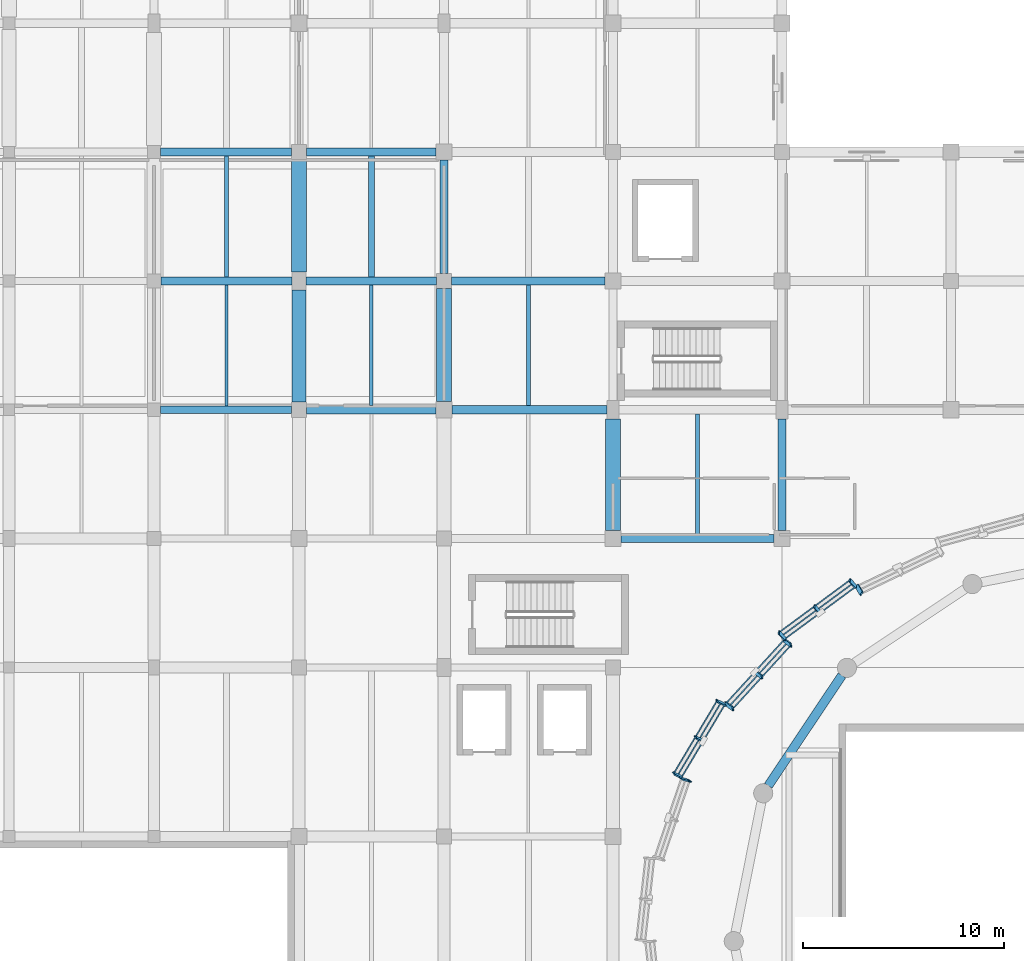
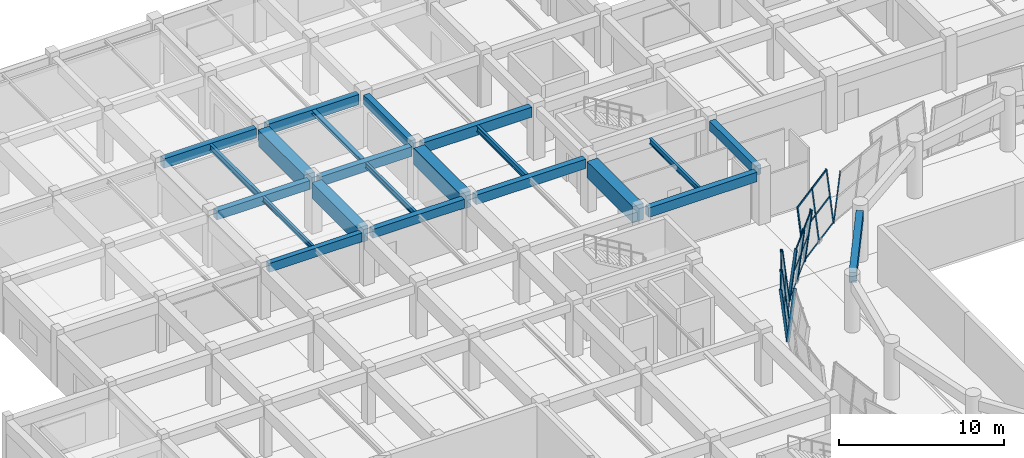
# One storey, part 33 of 71: 29 members, 22 beams, 5 elements without a shape of their own.
"""IFC4 building model written with IfcOpenShell, lengths in metres."""

from ifc_helpers import new_model, si_unit, direction, frame, origin, origin_2d, place, context, subcontext, project, spatial, rectangle, hollow_rectangle, i_section, extrude, material, material_profile, profile_set, type_object, element, aggregate, save


model = new_model("IFC4")

# Units and contexts
model_context = context("Model", 3, precision=1e-05, world=origin(), true_north=direction((0.0, 1.0)))
body_context = subcontext(model_context, "Body", "Model", "MODEL_VIEW")
ifc_project = project(units=[si_unit("LENGTHUNIT", "METRE"), si_unit("AREAUNIT", "SQUARE_METRE"), si_unit("VOLUMEUNIT", "CUBIC_METRE"), si_unit("PLANEANGLEUNIT", "RADIAN"), si_unit("MASSUNIT", "GRAM", prefix="KILO")], contexts=[model_context])

# Site, building, storey
site_placement = place(None, origin())
site = spatial("IfcSite", under=ifc_project, at=site_placement, CompositionType="ELEMENT")
building_placement = place(site_placement, origin())
building = spatial("IfcBuilding", under=site, at=building_placement, Name="Korsvaeld Concert Hall", CompositionType="ELEMENT")
storey_placement = place(building_placement, frame((0.0, 0.0, 4.800048828125)))
storey = spatial("IfcBuildingStorey", under=building, at=storey_placement, Name="L01", CompositionType="ELEMENT", Elevation=4.800048828125)

# Beams
ifc_material_1 = material(Name="Concrete C35/45", Category="concrete")
ifc_material_profile_1 = material_profile(ifc_material_1, rectangle(XDim=0.35009765625, YDim=0.64990234375, at=origin_2d()), Name="RC 350x650")
ifc_profile_set_1 = profile_set([ifc_material_profile_1], Name="Concrete C35/45")
beam_type_1 = type_object("IfcBeamType", Name="BM-RC-350x650", PredefinedType="T_BEAM", material=ifc_profile_set_1)
beam_1_placement = place(storey_placement, frame((36.324951171875, 89.60009765625, 3.514892578125), z_axis=(1.0, 0.0, 0.0), x_axis=(0.0, 1.0, 0.0)))
element("IfcBeam", 1, at=beam_1_placement, inside=storey, type_object=beam_type_1, Name="Primary girder 6-7/N L01", PredefinedType="T_BEAM", context=body_context, shape_type="SweptSolid", body=[
    extrude(rectangle(XDim=0.35009765625, YDim=0.64990234375, at=origin_2d()), origin(), (0.0, 0.0, 1.0), 6.5),
])
ifc_material_profile_2 = material_profile(ifc_material_1, rectangle(XDim=0.39990234375, YDim=0.64990234375, at=origin_2d()), Name="RC 400x650")
ifc_profile_set_2 = profile_set([ifc_material_profile_2], Name="Concrete C35/45")
beam_type_2 = type_object("IfcBeamType", Name="BM-RC-400x650", PredefinedType="T_BEAM", material=ifc_profile_set_2)
beam_2_placement = place(storey_placement, frame((43.574951171875, 89.60009765625, 3.514892578125), z_axis=(1.0, 0.0, 0.0), x_axis=(0.0, 1.0, 0.0)))
element("IfcBeam", 2, at=beam_2_placement, inside=storey, type_object=beam_type_2, Name="Primary girder 7-8/N L01", PredefinedType="T_BEAM", context=body_context, shape_type="SweptSolid", body=[
    extrude(rectangle(XDim=0.39990234375, YDim=0.64990234375, at=origin_2d()), origin(), (0.0, 0.0, 1.0), 6.425048828125),
])
beam_3_placement = place(storey_placement, frame((36.35009765625, 96.0, 3.514892578125), z_axis=(1.0, 0.0, 0.0), x_axis=(0.0, 1.0, 0.0)))
element("IfcBeam", 3, at=beam_3_placement, inside=storey, type_object=beam_type_2, Name="Primary girder 6-7/P L01", PredefinedType="T_BEAM", context=body_context, shape_type="SweptSolid", body=[
    extrude(rectangle(XDim=0.39990234375, YDim=0.64990234375, at=origin_2d()), origin(), (0.0, 0.0, 1.0), 6.5),
])
ifc_material_profile_3 = material_profile(ifc_material_1, rectangle(XDim=0.39990234375, YDim=0.699951171875, at=origin_2d()), Name="RC 400x700")
ifc_profile_set_3 = profile_set([ifc_material_profile_3], Name="Concrete C35/45")
beam_type_3 = type_object("IfcBeamType", Name="BM-RC-400x700", PredefinedType="T_BEAM", material=ifc_profile_set_3)
beam_4_placement = place(storey_placement, frame((59.199951171875, 83.199951171875, 3.489990234375), z_axis=(1.0, 0.0, 0.0), x_axis=(0.0, 1.0, 0.0)))
element("IfcBeam", 4, at=beam_4_placement, inside=storey, type_object=beam_type_3, Name="Primary girder 9-10/M L01", PredefinedType="T_BEAM", context=body_context, shape_type="SweptSolid", body=[
    extrude(rectangle(XDim=0.39990234375, YDim=0.699951171875, at=origin_2d()), origin(), (0.0, 0.0, 1.0), 7.60009765625),
])
beam_5_placement = place(storey_placement, frame((50.800048828125, 89.60009765625, 3.489990234375), z_axis=(1.0, 0.0, 0.0), x_axis=(0.0, 1.0, 0.0)))
element("IfcBeam", 5, at=beam_5_placement, inside=storey, type_object=beam_type_3, Name="Primary girder 8-9/N L01", PredefinedType="T_BEAM", context=body_context, shape_type="SweptSolid", body=[
    extrude(rectangle(XDim=0.39990234375, YDim=0.699951171875, at=origin_2d()), origin(), (0.0, 0.0, 1.0), 7.699951171875),
])
beam_6_placement = place(storey_placement, frame((43.550048828125, 96.0, 3.489990234375), z_axis=(1.0, 0.0, 0.0), x_axis=(0.0, 1.0, 0.0)))
element("IfcBeam", 6, at=beam_6_placement, inside=storey, type_object=beam_type_3, Name="Primary girder 7-8/P L01", PredefinedType="T_BEAM", context=body_context, shape_type="SweptSolid", body=[
    extrude(rectangle(XDim=0.39990234375, YDim=0.699951171875, at=origin_2d()), origin(), (0.0, 0.0, 1.0), 6.474853515625),
])
beam_7_placement = place(storey_placement, frame((36.324951171875, 102.39990234375, 3.489990234375), z_axis=(1.0, 0.0, 0.0), x_axis=(0.0, 1.0, 0.0)))
element("IfcBeam", 7, at=beam_7_placement, inside=storey, type_object=beam_type_3, Name="Primary girder 6-7/Q L01", PredefinedType="T_BEAM", context=body_context, shape_type="SweptSolid", body=[
    extrude(rectangle(XDim=0.39990234375, YDim=0.699951171875, at=origin_2d()), origin(), (0.0, 0.0, 1.0), 6.5),
])
beam_8_placement = place(storey_placement, frame((50.39990234375, 96.375, 3.489990234375), z_axis=(0.0, 1.0, 0.0), x_axis=(-1.0, 0.0, 0.0)))
element("IfcBeam", 8, at=beam_8_placement, inside=storey, type_object=beam_type_3, Name="Primary girder 8/P-Q L01", PredefinedType="T_BEAM", context=body_context, shape_type="SweptSolid", body=[
    extrude(rectangle(XDim=0.39990234375, YDim=0.699951171875, at=origin_2d()), origin(), (0.0, 0.0, 1.0), 5.625),
])
beam_9_placement = place(storey_placement, frame((67.199951171875, 83.60009765625, 3.489990234375), z_axis=(0.0, 1.0, 0.0), x_axis=(-1.0, 0.0, 0.0)))
element("IfcBeam", 9, at=beam_9_placement, inside=storey, type_object=beam_type_3, Name="Primary girder 10/M-N L01", PredefinedType="T_BEAM", context=body_context, shape_type="SweptSolid", body=[
    extrude(rectangle(XDim=0.39990234375, YDim=0.699951171875, at=origin_2d()), origin(), (0.0, 0.0, 1.0), 5.5498046875),
])
ifc_material_profile_4 = material_profile(ifc_material_1, rectangle(XDim=0.39990234375, YDim=0.75, at=origin_2d()), Name="RC 400x750")
ifc_profile_set_4 = profile_set([ifc_material_profile_4], Name="Concrete C35/45")
beam_type_4 = type_object("IfcBeamType", Name="BM-RC-400x750", PredefinedType="T_BEAM", material=ifc_profile_set_4)
beam_10_placement = place(storey_placement, frame((50.77490234375, 96.0, 3.46484375), z_axis=(1.0, 0.0, 0.0), x_axis=(0.0, 1.0, 0.0)))
element("IfcBeam", 10, at=beam_10_placement, inside=storey, type_object=beam_type_4, Name="Primary girder 8-9/P L01", PredefinedType="T_BEAM", context=body_context, shape_type="SweptSolid", body=[
    extrude(rectangle(XDim=0.39990234375, YDim=0.75, at=origin_2d()), origin(), (0.0, 0.0, 1.0), 7.625),
])
beam_11_placement = place(storey_placement, frame((43.574951171875, 102.39990234375, 3.46484375), z_axis=(1.0, 0.0, 0.0), x_axis=(0.0, 1.0, 0.0)))
element("IfcBeam", 11, at=beam_11_placement, inside=storey, type_object=beam_type_4, Name="Primary girder 7-8/Q L01", PredefinedType="T_BEAM", context=body_context, shape_type="SweptSolid", body=[
    extrude(rectangle(XDim=0.39990234375, YDim=0.75, at=origin_2d()), origin(), (0.0, 0.0, 1.0), 6.425048828125),
])
ifc_material_profile_5 = material_profile(ifc_material_1, rectangle(XDim=0.449951171875, YDim=0.75, at=origin_2d()), Name="RC 450x750")
ifc_profile_set_5 = profile_set([ifc_material_profile_5], Name="Concrete C35/45")
beam_type_5 = type_object("IfcBeamType", Name="BM-RC-450x750", PredefinedType="T_BEAM", material=ifc_profile_set_5)
beam_12_placement = place(storey_placement, frame((70.173583984375, 76.40234375, 3.46484375), z_axis=(-0.555571711953, -0.831468624109, 0.0), x_axis=(0.831468624109, -0.555571711953, 0.0)))
element("IfcBeam", 12, at=beam_12_placement, inside=storey, type_object=beam_type_5, Name="Drum ring floor girder L01 07", PredefinedType="T_BEAM", context=body_context, shape_type="SweptSolid", body=[
    extrude(rectangle(XDim=0.449951171875, YDim=0.75, at=origin_2d()), origin(), (0.0, 0.0, 1.0), 6.591552734375),
])
ifc_material_2 = material(Name="Concrete C40/50", Category="concrete")
ifc_material_profile_6 = material_profile(ifc_material_2, rectangle(XDim=0.699951171875, YDim=1.14990234375, at=origin_2d()), Name="RC 700x1150")
ifc_profile_set_6 = profile_set([ifc_material_profile_6], Name="Concrete C40/50")
beam_type_6 = type_object("IfcBeamType", Name="BM-RC-700x1150", PredefinedType="T_BEAM", material=ifc_profile_set_6)
beam_13_placement = place(storey_placement, frame((43.199951171875, 89.97509765625, 3.264892578125), z_axis=(0.0, 1.0, 0.0), x_axis=(-1.0, 0.0, 0.0)))
element("IfcBeam", 13, at=beam_13_placement, inside=storey, type_object=beam_type_6, Name="Primary girder 7/N-P L01", PredefinedType="T_BEAM", context=body_context, shape_type="SweptSolid", body=[
    extrude(rectangle(XDim=0.699951171875, YDim=1.14990234375, at=origin_2d()), origin(), (0.0, 0.0, 1.0), 5.574951171875),
])
ifc_material_profile_7 = material_profile(ifc_material_2, rectangle(XDim=0.75, YDim=1.199951171875, at=origin_2d()), Name="RC 750x1200")
ifc_profile_set_7 = profile_set([ifc_material_profile_7], Name="Concrete C40/50")
beam_type_7 = type_object("IfcBeamType", Name="BM-RC-750x1200", PredefinedType="T_BEAM", material=ifc_profile_set_7)
beam_14_placement = place(storey_placement, frame((43.199951171875, 96.449951171875, 3.239990234375), z_axis=(0.0, 1.0, 0.0), x_axis=(-1.0, 0.0, 0.0)))
element("IfcBeam", 14, at=beam_14_placement, inside=storey, type_object=beam_type_7, Name="Primary girder 7/P-Q L01", PredefinedType="T_BEAM", context=body_context, shape_type="SweptSolid", body=[
    extrude(rectangle(XDim=0.75, YDim=1.199951171875, at=origin_2d()), origin(), (0.0, 0.0, 1.0), 5.574951171875),
])
beam_15_placement = place(storey_placement, frame((50.39990234375, 90.0, 3.239990234375), z_axis=(0.0, 1.0, 0.0), x_axis=(-1.0, 0.0, 0.0)))
element("IfcBeam", 15, at=beam_15_placement, inside=storey, type_object=beam_type_7, Name="Primary girder 8/N-P L01", PredefinedType="T_BEAM", context=body_context, shape_type="SweptSolid", body=[
    extrude(rectangle(XDim=0.75, YDim=1.199951171875, at=origin_2d()), origin(), (0.0, 0.0, 1.0), 5.625),
])
beam_16_placement = place(storey_placement, frame((58.800048828125, 83.60009765625, 3.239990234375), z_axis=(0.0, 1.0, 0.0), x_axis=(-1.0, 0.0, 0.0)))
element("IfcBeam", 16, at=beam_16_placement, inside=storey, type_object=beam_type_7, Name="Primary girder 9/M-N L01", PredefinedType="T_BEAM", context=body_context, shape_type="SweptSolid", body=[
    extrude(rectangle(XDim=0.75, YDim=1.199951171875, at=origin_2d()), origin(), (0.0, 0.0, 1.0), 5.5498046875),
])
ifc_material_3 = material(Name="Steel S355J2", Category="steel")
ifc_material_profile_8 = material_profile(ifc_material_3, i_section(OverallWidth=0.280029296875, OverallDepth=0.27001953125, WebThickness=0.008056640625, FlangeThickness=0.012939453125, FilletRadius=0.02392578125, at=origin_2d()), Name="HEA 280")
ifc_profile_set_8 = profile_set([ifc_material_profile_8], Name="Steel S355J2")
beam_type_8 = type_object("IfcBeamType", Name="BM-STL-HEA280", PredefinedType="BEAM", material=ifc_profile_set_8)
beam_17_placement = place(storey_placement, frame((46.800048828125, 96.199951171875, 3.704833984375), z_axis=(0.0, 1.0, 0.0), x_axis=(-1.0, 0.0, 0.0)))
element("IfcBeam", 17, at=beam_17_placement, inside=storey, type_object=beam_type_8, Name="Secondary steel floor beam 7-8/P L01", PredefinedType="BEAM", context=body_context, shape_type="SweptSolid", body=[
    extrude(i_section(OverallWidth=0.280029296875, OverallDepth=0.27001953125, WebThickness=0.008056640625, FlangeThickness=0.012939453125, FilletRadius=0.02392578125, at=origin_2d()), origin(), (0.0, 0.0, 1.0), 6.0),
])
ifc_material_profile_9 = material_profile(ifc_material_3, i_section(OverallWidth=0.169921875, OverallDepth=0.360107421875, WebThickness=0.008056640625, FlangeThickness=0.0126953125, FilletRadius=0.01806640625, at=origin_2d()), Name="IPE 360")
ifc_profile_set_9 = profile_set([ifc_material_profile_9], Name="Steel S355J2")
beam_type_9 = type_object("IfcBeamType", Name="BM-STL-IPE360", PredefinedType="BEAM", material=ifc_profile_set_9)
beam_18_placement = place(storey_placement, frame((39.60009765625, 89.77490234375, 3.659912109375), z_axis=(0.0, 1.0, 0.0), x_axis=(-1.0, 0.0, 0.0)))
element("IfcBeam", 18, at=beam_18_placement, inside=storey, type_object=beam_type_9, Name="Secondary steel floor beam 6-7/N L01", PredefinedType="BEAM", context=body_context, shape_type="SweptSolid", body=[
    extrude(i_section(OverallWidth=0.169921875, OverallDepth=0.360107421875, WebThickness=0.008056640625, FlangeThickness=0.0126953125, FilletRadius=0.01806640625, at=origin_2d()), origin(), (0.0, 0.0, 1.0), 6.025146484375),
])
ifc_material_profile_10 = material_profile(ifc_material_3, i_section(OverallWidth=0.179931640625, OverallDepth=0.39990234375, WebThickness=0.008544921875, FlangeThickness=0.013427734375, FilletRadius=0.02099609375, at=origin_2d()), Name="IPE 400")
ifc_profile_set_10 = profile_set([ifc_material_profile_10], Name="Steel S355J2")
beam_type_10 = type_object("IfcBeamType", Name="BM-STL-IPE400", PredefinedType="BEAM", material=ifc_profile_set_10)
for number, where, z_axis, x_axis, name in (
    (19, (46.800048828125, 89.800048828125, 3.639892578125), (0.0, 1.0, 0.0), (-1.0, 0.0, 0.0), "Secondary steel floor beam 7-8/N L01"),
    (20, (63.0, 83.39990234375, 3.639892578125), (0.0, 1.0, 0.0), (-1.0, 0.0, 0.0), "Secondary steel floor beam 9-10/M L01"),
):
    element("IfcBeam", number, at=place(storey_placement, frame(where, z_axis=z_axis, x_axis=x_axis)), inside=storey, type_object=beam_type_10, Name=name, PredefinedType="BEAM", context=body_context, shape_type="SweptSolid", body=[
        extrude(i_section(OverallWidth=0.179931640625, OverallDepth=0.39990234375, WebThickness=0.008544921875, FlangeThickness=0.013427734375, FilletRadius=0.02099609375, at=origin_2d()), origin(), (0.0, 0.0, 1.0), 6.0),
    ])
ifc_material_profile_11 = material_profile(ifc_material_3, i_section(OverallWidth=0.18994140625, OverallDepth=0.449951171875, WebThickness=0.009521484375, FlangeThickness=0.0146484375, FilletRadius=0.02099609375, at=origin_2d()), Name="IPE 450")
ifc_profile_set_11 = profile_set([ifc_material_profile_11], Name="Steel S355J2")
beam_type_11 = type_object("IfcBeamType", Name="BM-STL-IPE450", PredefinedType="BEAM", material=ifc_profile_set_11)
for number, where, z_axis, x_axis, name in (
    (21, (39.60009765625, 96.199951171875, 3.614990234375), (0.0, 1.0, 0.0), (-1.0, 0.0, 0.0), "Secondary steel floor beam 6-7/P L01"),
    (22, (54.60009765625, 89.800048828125, 3.614990234375), (0.0, 1.0, 0.0), (-1.0, 0.0, 0.0), "Secondary steel floor beam 8-9/N L01"),
):
    element("IfcBeam", number, at=place(storey_placement, frame(where, z_axis=z_axis, x_axis=x_axis)), inside=storey, type_object=beam_type_11, Name=name, PredefinedType="BEAM", context=body_context, shape_type="SweptSolid", body=[
        extrude(i_section(OverallWidth=0.18994140625, OverallDepth=0.449951171875, WebThickness=0.009521484375, FlangeThickness=0.0146484375, FilletRadius=0.02099609375, at=origin_2d()), origin(), (0.0, 0.0, 1.0), 6.0),
    ])

# Curtain wall, members
ifc_material_4 = material(Name="Anodised bronze and ceramic-fritted safety glass", Category="glass")
curtain_wall_type_1 = type_object("IfcCurtainWallType", Name="CW-TYPE-04", PredefinedType="USERDEFINED", material=ifc_material_4)
curtain_wall_1_placement = place(storey_placement, origin())
curtain_wall_1 = element("IfcCurtainWall", 23, at=curtain_wall_1_placement, inside=storey, type_object=curtain_wall_type_1, Name="Crystal curtain-wall facet L01 F12", ObjectType="CURTAIN WALL", PredefinedType="USERDEFINED")
ifc_material_5 = material(Name="Anodised architectural bronze aluminium", Category="aluminium")
ifc_material_profile_12 = material_profile(ifc_material_5, hollow_rectangle(XDim=0.074951171875, YDim=0.179931640625, WallThickness=0.0048828125, at=origin_2d()), Name="CWM 180x75x5")
ifc_profile_set_12 = profile_set([ifc_material_profile_12], Name="Anodised architectural bronze aluminium")
member_type_1 = type_object("IfcMemberType", Name="CWM-BRONZE-180x75", PredefinedType="MULLION", material=ifc_profile_set_12)
member_1_placement = place(storey_placement, frame((70.8583984375, 80.804931640625, 0.0), z_axis=(-0.076399398433, 0.083589194521, 0.993567299421), x_axis=(-0.977549491387, 0.189970185789, -0.091149988477)))
member_1 = element("IfcMember", 24, at=member_1_placement, type_object=member_type_1, Name="CW-CRYS-L01-F12 crystal mullion 1", PredefinedType="MULLION", context=body_context, shape_type="SweptSolid", body=[
    extrude(hollow_rectangle(XDim=0.074951171875, YDim=0.179931640625, WallThickness=0.0048828125, at=origin_2d()), origin(), (0.0, 0.0, 1.0), 3.905029296875),
])
member_2_placement = place(storey_placement, frame((69.100341796875, 79.509033203125, 0.0), z_axis=(-0.076337641738, 0.083527509715, 0.993577233825), x_axis=(-0.977548221233, 0.190010379878, -0.09107980403)))
member_2 = element("IfcMember", 25, at=member_2_placement, type_object=member_type_1, Name="CW-CRYS-L01-F12 crystal mullion 2", PredefinedType="MULLION", context=body_context, shape_type="SweptSolid", body=[
    extrude(hollow_rectangle(XDim=0.074951171875, YDim=0.179931640625, WallThickness=0.0048828125, at=origin_2d()), origin(), (0.0, 0.0, 1.0), 3.905029296875),
])
member_3_placement = place(storey_placement, frame((67.342529296875, 78.212890625, 0.0), z_axis=(-0.076399398433, 0.083589194521, 0.993567299421), x_axis=(-0.977549491387, 0.189970185789, -0.091149988477)))
member_3 = element("IfcMember", 26, at=member_3_placement, type_object=member_type_1, Name="CW-CRYS-L01-F12 crystal mullion 3", PredefinedType="MULLION", context=body_context, shape_type="SweptSolid", body=[
    extrude(hollow_rectangle(XDim=0.074951171875, YDim=0.179931640625, WallThickness=0.0048828125, at=origin_2d()), origin(), (0.0, 0.0, 1.0), 3.905029296875),
])

curtain_wall_type_2 = type_object("IfcCurtainWallType", Name="CW-TYPE-06", PredefinedType="USERDEFINED", material=ifc_material_4)
curtain_wall_2_placement = place(storey_placement, origin())
curtain_wall_2 = element("IfcCurtainWall", 27, at=curtain_wall_2_placement, inside=storey, type_object=curtain_wall_type_2, Name="Crystal curtain-wall facet L01 F14", ObjectType="CURTAIN WALL", PredefinedType="USERDEFINED")
member_4_placement = place(storey_placement, frame((64.358154296875, 74.94580078125, 0.0), z_axis=(-0.102033137454, 0.049015918973, 0.993572684079), x_axis=(-0.830085566012, -0.554623769939, -0.057882872395)))
member_4 = element("IfcMember", 28, at=member_4_placement, type_object=member_type_1, Name="CW-CRYS-L01-F14 crystal mullion 1", PredefinedType="MULLION", context=body_context, shape_type="SweptSolid", body=[
    extrude(hollow_rectangle(XDim=0.074951171875, YDim=0.179931640625, WallThickness=0.0048828125, at=origin_2d()), origin(), (0.0, 0.0, 1.0), 3.905029296875),
])
member_5_placement = place(storey_placement, frame((63.286865234375, 73.1455078125, 0.0), z_axis=(-0.102033137454, 0.049015918973, 0.993572684079), x_axis=(-0.830085566012, -0.554623769939, -0.057882872395)))
member_5 = element("IfcMember", 29, at=member_5_placement, type_object=member_type_1, Name="CW-CRYS-L01-F14 crystal mullion 2", PredefinedType="MULLION", context=body_context, shape_type="SweptSolid", body=[
    extrude(hollow_rectangle(XDim=0.074951171875, YDim=0.179931640625, WallThickness=0.0048828125, at=origin_2d()), origin(), (0.0, 0.0, 1.0), 3.905029296875),
])
member_6_placement = place(storey_placement, frame((62.215576171875, 71.34521484375, 0.0), z_axis=(-0.102033449935, 0.04895354859, 0.993575726945), x_axis=(-0.829810679162, -0.555036387008, -0.057869213275)))
member_6 = element("IfcMember", 30, at=member_6_placement, type_object=member_type_1, Name="CW-CRYS-L01-F14 crystal mullion 3", PredefinedType="MULLION", context=body_context, shape_type="SweptSolid", body=[
    extrude(hollow_rectangle(XDim=0.074951171875, YDim=0.179931640625, WallThickness=0.0048828125, at=origin_2d()), origin(), (0.0, 0.0, 1.0), 3.905029296875),
])

# Curtain wall, member
curtain_wall_type_3 = type_object("IfcCurtainWallType", Name="CW-TYPE-03", PredefinedType="USERDEFINED", material=ifc_material_4)
curtain_wall_3_placement = place(storey_placement, origin())
curtain_wall_3 = element("IfcCurtainWall", 31, at=curtain_wall_3_placement, inside=storey, type_object=curtain_wall_type_3, Name="Crystal curtain-wall facet L01 F11", ObjectType="CURTAIN WALL", PredefinedType="USERDEFINED")
ifc_material_profile_13 = material_profile(ifc_material_5, hollow_rectangle(XDim=0.074951171875, YDim=0.219970703125, WallThickness=0.006103515625, at=origin_2d()), Name="CWM 220x75x6")
ifc_profile_set_13 = profile_set([ifc_material_profile_13], Name="Anodised architectural bronze aluminium")
member_type_2 = type_object("IfcMemberType", Name="CWM-BRONZE-220x75", PredefinedType="MULLION", material=ifc_profile_set_13)
member_7_placement = place(storey_placement, frame((70.92236328125, 80.843505859375, 0.0), z_axis=(0.057893742062, -0.097281493141, 0.993571651026), x_axis=(0.829999138773, -0.548349174532, -0.102052008437)))
member_7 = element("IfcMember", 32, at=member_7_placement, type_object=member_type_2, Name="CW-CRYS-L01-F11 crystal mullion 3", PredefinedType="MULLION", context=body_context, shape_type="SweptSolid", body=[
    extrude(hollow_rectangle(XDim=0.074951171875, YDim=0.219970703125, WallThickness=0.006103515625, at=origin_2d()), origin(), (0.0, 0.0, 1.0), 3.905029296875),
])
aggregate(curtain_wall_3, [member_7])

# Curtain wall, members
curtain_wall_type_4 = type_object("IfcCurtainWallType", Name="CW-TYPE-05", PredefinedType="USERDEFINED", material=ifc_material_4)
curtain_wall_4_placement = place(storey_placement, origin())
curtain_wall_4 = element("IfcCurtainWall", 33, at=curtain_wall_4_placement, inside=storey, type_object=curtain_wall_type_4, Name="Crystal curtain-wall facet L01 F13", ObjectType="CURTAIN WALL", PredefinedType="USERDEFINED")
member_8_placement = place(storey_placement, frame((67.287109375, 78.1630859375, 0.0), z_axis=(0.091092013968, -0.06720927592, 0.993571918998), x_axis=(0.977585029152, 0.196207994795, -0.076354001577)))
member_8 = element("IfcMember", 34, at=member_8_placement, type_object=member_type_2, Name="CW-CRYS-L01-F13 crystal mullion 1", PredefinedType="MULLION", context=body_context, shape_type="SweptSolid", body=[
    extrude(hollow_rectangle(XDim=0.074951171875, YDim=0.219970703125, WallThickness=0.006103515625, at=origin_2d()), origin(), (0.0, 0.0, 1.0), 3.905029296875),
])
member_9_placement = place(storey_placement, frame((65.8447265625, 76.58447265625, 0.0), z_axis=(0.091154014917, -0.067208893029, 0.993566258617), x_axis=(0.977517596414, 0.196530654202, -0.076387503291)))
member_9 = element("IfcMember", 35, at=member_9_placement, type_object=member_type_2, Name="CW-CRYS-L01-F13 crystal mullion 2", PredefinedType="MULLION", context=body_context, shape_type="SweptSolid", body=[
    extrude(hollow_rectangle(XDim=0.074951171875, YDim=0.219970703125, WallThickness=0.006103515625, at=origin_2d()), origin(), (0.0, 0.0, 1.0), 3.905029296875),
])
member_10_placement = place(storey_placement, frame((64.402587890625, 75.005859375, 0.0), z_axis=(0.091092013968, -0.06720927592, 0.993571918998), x_axis=(0.977585029152, 0.196207994795, -0.076354001577)))
member_10 = element("IfcMember", 36, at=member_10_placement, type_object=member_type_2, Name="CW-CRYS-L01-F13 crystal mullion 3", PredefinedType="MULLION", context=body_context, shape_type="SweptSolid", body=[
    extrude(hollow_rectangle(XDim=0.074951171875, YDim=0.219970703125, WallThickness=0.006103515625, at=origin_2d()), origin(), (0.0, 0.0, 1.0), 3.905029296875),
])

# Curtain wall, member
curtain_wall_type_5 = type_object("IfcCurtainWallType", Name="CW-TYPE-07", PredefinedType="USERDEFINED", material=ifc_material_4)
curtain_wall_5_placement = place(storey_placement, origin())
curtain_wall_5 = element("IfcCurtainWall", 37, at=curtain_wall_5_placement, inside=storey, type_object=curtain_wall_type_5, Name="Crystal curtain-wall facet L01 F15", ObjectType="CURTAIN WALL", PredefinedType="USERDEFINED")
member_11_placement = place(storey_placement, frame((62.184326171875, 71.27734375, 0.0), z_axis=(0.109222864708, -0.029759635719, 0.993571703455), x_axis=(0.555751470455, 0.830559253027, -0.036216436851)))
member_11 = element("IfcMember", 38, at=member_11_placement, type_object=member_type_2, Name="CW-CRYS-L01-F15 crystal mullion 1", PredefinedType="MULLION", context=body_context, shape_type="SweptSolid", body=[
    extrude(hollow_rectangle(XDim=0.074951171875, YDim=0.219970703125, WallThickness=0.006103515625, at=origin_2d()), origin(), (0.0, 0.0, 1.0), 3.905029296875),
])
aggregate(curtain_wall_5, [member_11])

# Member
ifc_material_profile_14 = material_profile(ifc_material_5, hollow_rectangle(XDim=0.06005859375, YDim=0.139892578125, WallThickness=0.00390625, at=origin_2d()), Name="CWT 140x60x4")
ifc_profile_set_14 = profile_set([ifc_material_profile_14], Name="Anodised architectural bronze aluminium")
member_type_3 = type_object("IfcMemberType", Name="CWT-BRONZE-140x60", PredefinedType="USERDEFINED", material=ifc_profile_set_14)
member_12_placement = place(storey_placement, frame((70.825927734375, 80.78515625, 0.030029296875), z_axis=(-0.804945265899, -0.593349070031, 0.0), x_axis=(0.593349070031, -0.804945265899, 0.0)))
member_12 = element("IfcMember", 39, at=member_12_placement, type_object=member_type_3, Name="CW-CRYS-L01-F12 crystal transom 1.1", ObjectType="TRANSOM", PredefinedType="USERDEFINED", context=body_context, shape_type="SweptSolid", body=[
    extrude(hollow_rectangle(XDim=0.06005859375, YDim=0.139892578125, WallThickness=0.00390625, at=origin_2d()), origin(), (0.0, 0.0, 1.0), 2.109130859375),
])

member_13_placement = place(storey_placement, frame((70.678955078125, 80.94580078125, 1.93994140625), z_axis=(-0.804904507896, -0.593404358906, 0.0), x_axis=(0.593404358906, -0.804904507896, 0.0)))
member_13 = element("IfcMember", 40, at=member_13_placement, type_object=member_type_3, Name="CW-CRYS-L01-F12 crystal transom 1.2", ObjectType="TRANSOM", PredefinedType="USERDEFINED", context=body_context, shape_type="SweptSolid", body=[
    extrude(hollow_rectangle(XDim=0.06005859375, YDim=0.139892578125, WallThickness=0.00390625, at=origin_2d()), origin(), (0.0, 0.0, 1.0), 2.10888671875),
])

member_14_placement = place(storey_placement, frame((70.5322265625, 81.1064453125, 3.849853515625), z_axis=(-0.804904507896, -0.593404358906, 0.0), x_axis=(0.593404358906, -0.804904507896, 0.0)))
member_14 = element("IfcMember", 41, at=member_14_placement, type_object=member_type_3, Name="CW-CRYS-L01-F12 crystal transom 1.3", ObjectType="TRANSOM", PredefinedType="USERDEFINED", context=body_context, shape_type="SweptSolid", body=[
    extrude(hollow_rectangle(XDim=0.06005859375, YDim=0.139892578125, WallThickness=0.00390625, at=origin_2d()), origin(), (0.0, 0.0, 1.0), 2.10888671875),
])

member_15_placement = place(storey_placement, frame((69.06787109375, 79.4892578125, 0.030029296875), z_axis=(-0.804904507896, -0.593404358906, 0.0), x_axis=(0.593404358906, -0.804904507896, 0.0)))
member_15 = element("IfcMember", 42, at=member_15_placement, type_object=member_type_3, Name="CW-CRYS-L01-F12 crystal transom 2.1", ObjectType="TRANSOM", PredefinedType="USERDEFINED", context=body_context, shape_type="SweptSolid", body=[
    extrude(hollow_rectangle(XDim=0.06005859375, YDim=0.139892578125, WallThickness=0.00390625, at=origin_2d()), origin(), (0.0, 0.0, 1.0), 2.10888671875),
])

member_16_placement = place(storey_placement, frame((68.921142578125, 79.64990234375, 1.93994140625), z_axis=(-0.804904507896, -0.593404358906, 0.0), x_axis=(0.593404358906, -0.804904507896, 0.0)))
member_16 = element("IfcMember", 43, at=member_16_placement, type_object=member_type_3, Name="CW-CRYS-L01-F12 crystal transom 2.2", ObjectType="TRANSOM", PredefinedType="USERDEFINED", context=body_context, shape_type="SweptSolid", body=[
    extrude(hollow_rectangle(XDim=0.06005859375, YDim=0.139892578125, WallThickness=0.00390625, at=origin_2d()), origin(), (0.0, 0.0, 1.0), 2.10888671875),
])

member_17_placement = place(storey_placement, frame((68.7744140625, 79.810546875, 3.849853515625), z_axis=(-0.804904507896, -0.593404358906, 0.0), x_axis=(0.593404358906, -0.804904507896, 0.0)))
member_17 = element("IfcMember", 44, at=member_17_placement, type_object=member_type_3, Name="CW-CRYS-L01-F12 crystal transom 2.3", ObjectType="TRANSOM", PredefinedType="USERDEFINED", context=body_context, shape_type="SweptSolid", body=[
    extrude(hollow_rectangle(XDim=0.06005859375, YDim=0.139892578125, WallThickness=0.00390625, at=origin_2d()), origin(), (0.0, 0.0, 1.0), 2.10888671875),
])

aggregate(curtain_wall_1, [member_1, member_2, member_3, member_12, member_13, member_14, member_15, member_16, member_17])

member_18_placement = place(storey_placement, frame((67.264404296875, 78.13330078125, 0.030029296875), z_axis=(-0.674496604142, -0.738277949692, 0.0), x_axis=(0.738277949692, -0.674496604142, 0.0)))
member_18 = element("IfcMember", 45, at=member_18_placement, type_object=member_type_3, Name="CW-CRYS-L01-F13 crystal transom 1.1", ObjectType="TRANSOM", PredefinedType="USERDEFINED", context=body_context, shape_type="SweptSolid", body=[
    extrude(hollow_rectangle(XDim=0.06005859375, YDim=0.139892578125, WallThickness=0.00390625, at=origin_2d()), origin(), (0.0, 0.0, 1.0), 2.063232421875),
])

member_19_placement = place(storey_placement, frame((67.439697265625, 78.004150390625, 1.93994140625), z_axis=(-0.674496604142, -0.738277949692, 0.0), x_axis=(0.738277949692, -0.674496604142, 0.0)))
member_19 = element("IfcMember", 46, at=member_19_placement, type_object=member_type_3, Name="CW-CRYS-L01-F13 crystal transom 1.2", ObjectType="TRANSOM", PredefinedType="USERDEFINED", context=body_context, shape_type="SweptSolid", body=[
    extrude(hollow_rectangle(XDim=0.06005859375, YDim=0.139892578125, WallThickness=0.00390625, at=origin_2d()), origin(), (0.0, 0.0, 1.0), 2.063232421875),
])

member_20_placement = place(storey_placement, frame((67.61474609375, 77.875, 3.849853515625), z_axis=(-0.674496604142, -0.738277949692, 0.0), x_axis=(0.738277949692, -0.674496604142, 0.0)))
member_20 = element("IfcMember", 47, at=member_20_placement, type_object=member_type_3, Name="CW-CRYS-L01-F13 crystal transom 1.3", ObjectType="TRANSOM", PredefinedType="USERDEFINED", context=body_context, shape_type="SweptSolid", body=[
    extrude(hollow_rectangle(XDim=0.06005859375, YDim=0.139892578125, WallThickness=0.00390625, at=origin_2d()), origin(), (0.0, 0.0, 1.0), 2.063232421875),
])

member_21_placement = place(storey_placement, frame((65.822265625, 76.5546875, 0.030029296875), z_axis=(-0.674496604142, -0.738277949692, 0.0), x_axis=(0.738277949692, -0.674496604142, 0.0)))
member_21 = element("IfcMember", 48, at=member_21_placement, type_object=member_type_3, Name="CW-CRYS-L01-F13 crystal transom 2.1", ObjectType="TRANSOM", PredefinedType="USERDEFINED", context=body_context, shape_type="SweptSolid", body=[
    extrude(hollow_rectangle(XDim=0.06005859375, YDim=0.139892578125, WallThickness=0.00390625, at=origin_2d()), origin(), (0.0, 0.0, 1.0), 2.063232421875),
])

member_22_placement = place(storey_placement, frame((65.997314453125, 76.425537109375, 1.93994140625), z_axis=(-0.674496604142, -0.738277949692, 0.0), x_axis=(0.738277949692, -0.674496604142, 0.0)))
member_22 = element("IfcMember", 49, at=member_22_placement, type_object=member_type_3, Name="CW-CRYS-L01-F13 crystal transom 2.2", ObjectType="TRANSOM", PredefinedType="USERDEFINED", context=body_context, shape_type="SweptSolid", body=[
    extrude(hollow_rectangle(XDim=0.06005859375, YDim=0.139892578125, WallThickness=0.00390625, at=origin_2d()), origin(), (0.0, 0.0, 1.0), 2.063232421875),
])

member_23_placement = place(storey_placement, frame((66.172607421875, 76.29638671875, 3.849853515625), z_axis=(-0.674496604142, -0.738277949692, 0.0), x_axis=(0.738277949692, -0.674496604142, 0.0)))
member_23 = element("IfcMember", 50, at=member_23_placement, type_object=member_type_3, Name="CW-CRYS-L01-F13 crystal transom 2.3", ObjectType="TRANSOM", PredefinedType="USERDEFINED", context=body_context, shape_type="SweptSolid", body=[
    extrude(hollow_rectangle(XDim=0.06005859375, YDim=0.139892578125, WallThickness=0.00390625, at=origin_2d()), origin(), (0.0, 0.0, 1.0), 2.063232421875),
])

aggregate(curtain_wall_4, [member_8, member_9, member_10, member_18, member_19, member_20, member_21, member_22, member_23])

member_24_placement = place(storey_placement, frame((64.3359375, 74.9150390625, 0.030029296875), z_axis=(-0.511381861684, -0.859353589357, 0.0), x_axis=(0.859353589357, -0.511381861684, 0.0)))
member_24 = element("IfcMember", 51, at=member_24_placement, type_object=member_type_3, Name="CW-CRYS-L01-F14 crystal transom 1.1", ObjectType="TRANSOM", PredefinedType="USERDEFINED", context=body_context, shape_type="SweptSolid", body=[
    extrude(hollow_rectangle(XDim=0.06005859375, YDim=0.139892578125, WallThickness=0.00390625, at=origin_2d()), origin(), (0.0, 0.0, 1.0), 2.02001953125),
])

member_25_placement = place(storey_placement, frame((64.1396484375, 75.00927734375, 1.93994140625), z_axis=(-0.511381861684, -0.859353589357, 0.0), x_axis=(0.859353589357, -0.511381861684, 0.0)))
member_25 = element("IfcMember", 52, at=member_25_placement, type_object=member_type_3, Name="CW-CRYS-L01-F14 crystal transom 1.2", ObjectType="TRANSOM", PredefinedType="USERDEFINED", context=body_context, shape_type="SweptSolid", body=[
    extrude(hollow_rectangle(XDim=0.06005859375, YDim=0.139892578125, WallThickness=0.00390625, at=origin_2d()), origin(), (0.0, 0.0, 1.0), 2.02001953125),
])

member_26_placement = place(storey_placement, frame((63.943603515625, 75.103515625, 3.849853515625), z_axis=(-0.511381861684, -0.859353589357, 0.0), x_axis=(0.859353589357, -0.511381861684, 0.0)))
member_26 = element("IfcMember", 53, at=member_26_placement, type_object=member_type_3, Name="CW-CRYS-L01-F14 crystal transom 1.3", ObjectType="TRANSOM", PredefinedType="USERDEFINED", context=body_context, shape_type="SweptSolid", body=[
    extrude(hollow_rectangle(XDim=0.06005859375, YDim=0.139892578125, WallThickness=0.00390625, at=origin_2d()), origin(), (0.0, 0.0, 1.0), 2.02001953125),
])

member_27_placement = place(storey_placement, frame((63.2646484375, 73.11474609375, 0.030029296875), z_axis=(-0.511381861684, -0.859353589357, 0.0), x_axis=(0.859353589357, -0.511381861684, 0.0)))
member_27 = element("IfcMember", 54, at=member_27_placement, type_object=member_type_3, Name="CW-CRYS-L01-F14 crystal transom 2.1", ObjectType="TRANSOM", PredefinedType="USERDEFINED", context=body_context, shape_type="SweptSolid", body=[
    extrude(hollow_rectangle(XDim=0.06005859375, YDim=0.139892578125, WallThickness=0.00390625, at=origin_2d()), origin(), (0.0, 0.0, 1.0), 2.02001953125),
])

member_28_placement = place(storey_placement, frame((63.068359375, 73.208984375, 1.93994140625), z_axis=(-0.511381861684, -0.859353589357, 0.0), x_axis=(0.859353589357, -0.511381861684, 0.0)))
member_28 = element("IfcMember", 55, at=member_28_placement, type_object=member_type_3, Name="CW-CRYS-L01-F14 crystal transom 2.2", ObjectType="TRANSOM", PredefinedType="USERDEFINED", context=body_context, shape_type="SweptSolid", body=[
    extrude(hollow_rectangle(XDim=0.06005859375, YDim=0.139892578125, WallThickness=0.00390625, at=origin_2d()), origin(), (0.0, 0.0, 1.0), 2.02001953125),
])

member_29_placement = place(storey_placement, frame((62.872314453125, 73.30322265625, 3.849853515625), z_axis=(-0.511328750939, -0.859385192136, 0.0), x_axis=(0.859385192136, -0.511328750939, 0.0)))
member_29 = element("IfcMember", 56, at=member_29_placement, type_object=member_type_3, Name="CW-CRYS-L01-F14 crystal transom 2.3", ObjectType="TRANSOM", PredefinedType="USERDEFINED", context=body_context, shape_type="SweptSolid", body=[
    extrude(hollow_rectangle(XDim=0.06005859375, YDim=0.139892578125, WallThickness=0.00390625, at=origin_2d()), origin(), (0.0, 0.0, 1.0), 2.020263671875),
])

aggregate(curtain_wall_2, [member_4, member_5, member_6, member_24, member_25, member_26, member_27, member_28, member_29])

save(model, "model.ifc")
